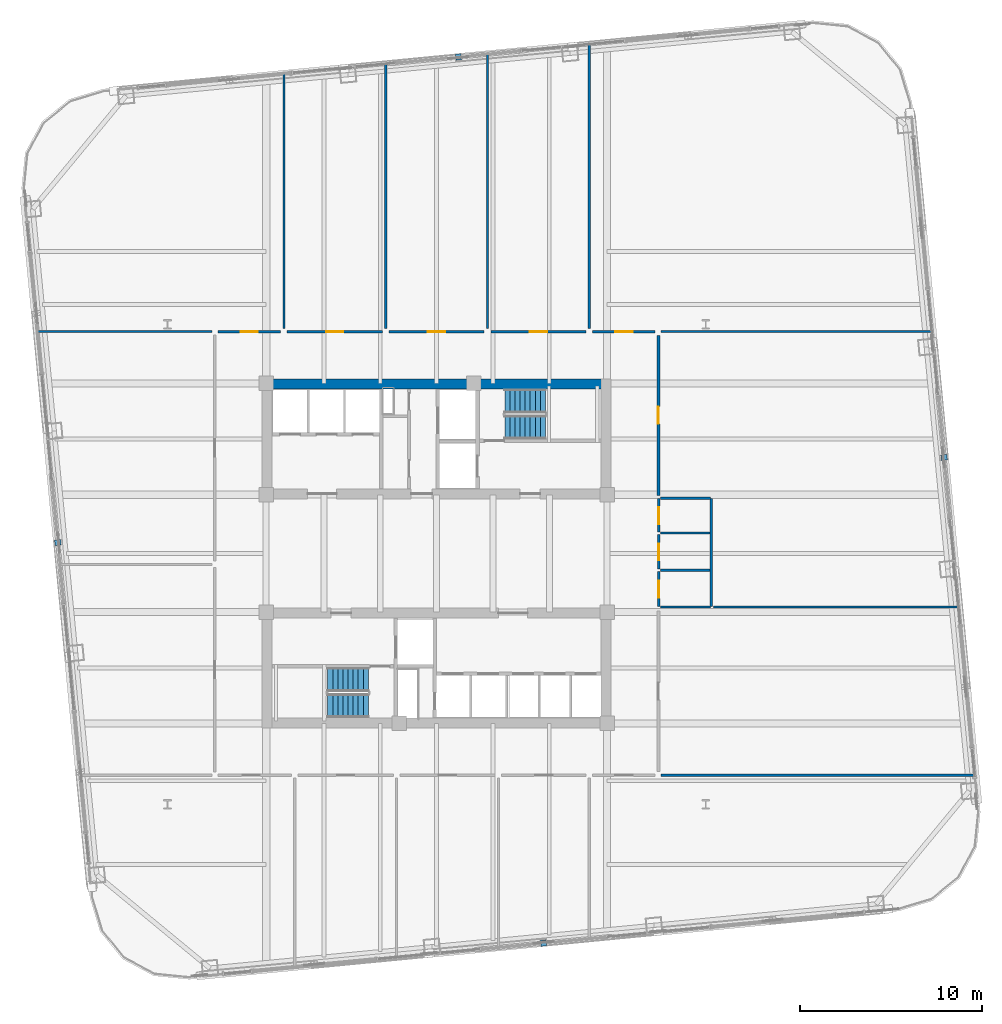
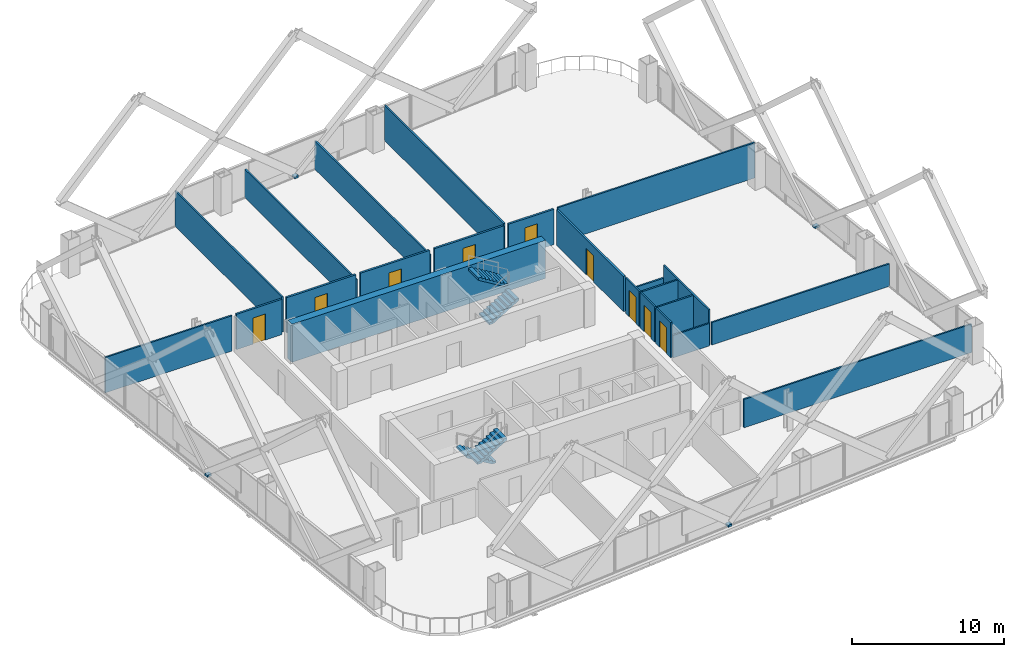
# One storey, part 29 of 32: 23 walls, 9 doors, 4 discrete accessories, 4 stair flights, 9 openings, 2 elements without a shape of their own.
"""IFC4 building model written with IfcOpenShell, lengths in metres."""

from ifc_helpers import new_model, si_unit, direction, frame, frame_2d, origin, origin_2d, place, context, subcontext, project, spatial, polyline, rectangle, outline, extrude, material, layer, layer_set, type_object, element, fill, aggregate, save


model = new_model("IFC4")

# Units and contexts
model_context = context("Model", 3, precision=1e-05, world=origin(), true_north=direction((0.0, 1.0)))
body_context = subcontext(model_context, "Body", "Model", "MODEL_VIEW")
ifc_project = project(units=[si_unit("LENGTHUNIT", "METRE"), si_unit("AREAUNIT", "SQUARE_METRE"), si_unit("VOLUMEUNIT", "CUBIC_METRE"), si_unit("PLANEANGLEUNIT", "RADIAN"), si_unit("MASSUNIT", "GRAM", prefix="KILO")], contexts=[model_context])

# Site, building, storey
site_placement = place(None, origin())
site = spatial("IfcSite", under=ifc_project, at=site_placement, CompositionType="ELEMENT")
building_placement = place(site_placement, origin())
building = spatial("IfcBuilding", under=site, at=building_placement, Name="Qhalaya Broadcast Tower", CompositionType="ELEMENT")
storey_placement = place(building_placement, frame((0.0, 0.0, 81.64990234375)))
storey = spatial("IfcBuildingStorey", under=building, at=storey_placement, Name="L23", CompositionType="ELEMENT", Elevation=81.64990234375)

# Wall, opening, door
ifc_material_1 = material(Name="Gypsum Acoustic Partition")
ifc_layer_1 = layer(ifc_material_1, 0.14990234375, Name="Gypsum Acoustic Partition")
ifc_layer_set_1 = layer_set([ifc_layer_1], Name="Gypsum Acoustic Partition")
wall_type_1 = type_object("IfcWallType", Name="Corridor & Tenancy Acoustic Partition 150", PredefinedType="PARTITIONING", material=ifc_layer_set_1)
wall_1_placement = place(storey_placement, frame((-12.02001953125, 12.800048828125, 0.0), z_axis=(0.0, 0.0, 1.0), x_axis=(1.0, 0.0, 0.0)))
wall_1 = element("IfcWall", 1, at=wall_1_placement, inside=storey, type_object=wall_type_1, Name="L23 Partition Wall W-COR-01", PredefinedType="PARTITIONING", context=body_context, shape_type="SweptSolid", body=[
    extrude(rectangle(XDim=3.43994140625, YDim=0.14990234375, at=frame_2d((1.719970703125, 0.0))), origin(), (0.0, 0.0, 1.0), 2.830078125),
])
opening_1_placement = place(wall_1_placement, frame((1.2451171875, 0.0, 0.0)))
opening_1 = element("IfcOpeningElement", 2, at=opening_1_placement, cuts=wall_1, Name="Opening D10", PredefinedType="OPENING", context=body_context, shape_type="SweptSolid", body=[
    extrude(rectangle(XDim=0.949951171875, YDim=2.10009765625, at=frame_2d((0.47509765625, 1.050048828125))), frame((0.0, 0.0869140625, 0.0), z_axis=(0.0, -1.0, 0.0), x_axis=(1.0, 0.0, 0.0)), (0.0, 0.0, 1.0), 0.173828125),
])
ifc_material_2 = material(Name="Timber Veneer Acoustic Door", Category="wood")
door_type_1 = type_object("IfcDoorType", Name="Cellular Office & Edit Booth Door D10", OperationType="NOTDEFINED", PredefinedType="DOOR", material=ifc_material_2)
door_1_placement = place(opening_1_placement, origin())
door_1 = element("IfcDoor", 3, at=door_1_placement, inside=storey, type_object=door_type_1, Name="L23 Door D-RM01", OperationType="SINGLE_SWING_LEFT", OverallHeight=2.10009765625, OverallWidth=0.949951171875, PredefinedType="DOOR", context=body_context, shape_type="SweptSolid", body=[
    extrude(rectangle(XDim=0.949951171875, YDim=2.10009765625, at=frame_2d((0.47509765625, 1.050048828125))), frame((0.0, 0.02490234375, 0.0), z_axis=(0.0, -1.0, 0.0), x_axis=(1.0, 0.0, 0.0)), (0.0, 0.0, 1.0), 0.050048828125),
])
fill(opening_1, door_1)

wall_2_placement = place(storey_placement, frame((-8.219970703125, 12.800048828125, 0.0), z_axis=(0.0, 0.0, 1.0), x_axis=(1.0, 0.0, 0.0)))
wall_2 = element("IfcWall", 4, at=wall_2_placement, inside=storey, type_object=wall_type_1, Name="L23 Partition Wall W-COR-02", PredefinedType="PARTITIONING", context=body_context, shape_type="SweptSolid", body=[
    extrude(rectangle(XDim=5.239990234375, YDim=0.14990234375, at=frame_2d((2.6201171875, 0.0))), origin(), (0.0, 0.0, 1.0), 2.830078125),
])
opening_2_placement = place(wall_2_placement, frame((2.14501953125, 0.0, 0.0)))
opening_2 = element("IfcOpeningElement", 5, at=opening_2_placement, cuts=wall_2, Name="Opening D10", PredefinedType="OPENING", context=body_context, shape_type="SweptSolid", body=[
    extrude(rectangle(XDim=0.949951171875, YDim=2.10009765625, at=frame_2d((0.47509765625, 1.050048828125))), frame((0.0, 0.0869140625, 0.0), z_axis=(0.0, -1.0, 0.0), x_axis=(1.0, 0.0, 0.0)), (0.0, 0.0, 1.0), 0.173828125),
])
door_2_placement = place(opening_2_placement, origin())
door_2 = element("IfcDoor", 6, at=door_2_placement, inside=storey, type_object=door_type_1, Name="L23 Door D-RM02", OperationType="SINGLE_SWING_RIGHT", OverallHeight=2.10009765625, OverallWidth=0.949951171875, PredefinedType="DOOR", context=body_context, shape_type="SweptSolid", body=[
    extrude(rectangle(XDim=0.949951171875, YDim=2.10009765625, at=frame_2d((0.47509765625, 1.050048828125))), frame((0.0, 0.02490234375, 0.0), z_axis=(0.0, -1.0, 0.0), x_axis=(1.0, 0.0, 0.0)), (0.0, 0.0, 1.0), 0.050048828125),
])
fill(opening_2, door_2)

wall_3_placement = place(storey_placement, frame((-2.6201171875, 12.800048828125, 0.0), z_axis=(0.0, 0.0, 1.0), x_axis=(1.0, 0.0, 0.0)))
wall_3 = element("IfcWall", 7, at=wall_3_placement, inside=storey, type_object=wall_type_1, Name="L23 Partition Wall W-COR-03", PredefinedType="PARTITIONING", context=body_context, shape_type="SweptSolid", body=[
    extrude(rectangle(XDim=5.240234375, YDim=0.14990234375, at=frame_2d((2.6201171875, 0.0))), origin(), (0.0, 0.0, 1.0), 2.830078125),
])
opening_3_placement = place(wall_3_placement, frame((2.14501953125, 0.0, 0.0)))
opening_3 = element("IfcOpeningElement", 8, at=opening_3_placement, cuts=wall_3, Name="Opening D10", PredefinedType="OPENING", context=body_context, shape_type="SweptSolid", body=[
    extrude(rectangle(XDim=0.949951171875, YDim=2.10009765625, at=frame_2d((0.47509765625, 1.050048828125))), frame((0.0, 0.0869140625, 0.0), z_axis=(0.0, -1.0, 0.0), x_axis=(1.0, 0.0, 0.0)), (0.0, 0.0, 1.0), 0.173828125),
])
door_3_placement = place(opening_3_placement, origin())
door_3 = element("IfcDoor", 9, at=door_3_placement, inside=storey, type_object=door_type_1, Name="L23 Door D-RM03", OperationType="SINGLE_SWING_LEFT", OverallHeight=2.10009765625, OverallWidth=0.949951171875, PredefinedType="DOOR", context=body_context, shape_type="SweptSolid", body=[
    extrude(rectangle(XDim=0.949951171875, YDim=2.10009765625, at=frame_2d((0.47509765625, 1.050048828125))), frame((0.0, 0.02490234375, 0.0), z_axis=(0.0, -1.0, 0.0), x_axis=(1.0, 0.0, 0.0)), (0.0, 0.0, 1.0), 0.050048828125),
])
fill(opening_3, door_3)

wall_4_placement = place(storey_placement, frame((2.97998046875, 12.800048828125, 0.0), z_axis=(0.0, 0.0, 1.0), x_axis=(1.0, 0.0, 0.0)))
wall_4 = element("IfcWall", 10, at=wall_4_placement, inside=storey, type_object=wall_type_1, Name="L23 Partition Wall W-COR-04", PredefinedType="PARTITIONING", context=body_context, shape_type="SweptSolid", body=[
    extrude(rectangle(XDim=5.239990234375, YDim=0.14990234375, at=frame_2d((2.6201171875, 0.0))), origin(), (0.0, 0.0, 1.0), 2.830078125),
])
opening_4_placement = place(wall_4_placement, frame((2.14501953125, 0.0, 0.0)))
opening_4 = element("IfcOpeningElement", 11, at=opening_4_placement, cuts=wall_4, Name="Opening D10", PredefinedType="OPENING", context=body_context, shape_type="SweptSolid", body=[
    extrude(rectangle(XDim=0.949951171875, YDim=2.10009765625, at=frame_2d((0.47509765625, 1.050048828125))), frame((0.0, 0.0869140625, 0.0), z_axis=(0.0, -1.0, 0.0), x_axis=(1.0, 0.0, 0.0)), (0.0, 0.0, 1.0), 0.173828125),
])
door_4_placement = place(opening_4_placement, origin())
door_4 = element("IfcDoor", 12, at=door_4_placement, inside=storey, type_object=door_type_1, Name="L23 Door D-RM04", OperationType="SINGLE_SWING_RIGHT", OverallHeight=2.10009765625, OverallWidth=0.949951171875, PredefinedType="DOOR", context=body_context, shape_type="SweptSolid", body=[
    extrude(rectangle(XDim=0.949951171875, YDim=2.10009765625, at=frame_2d((0.47509765625, 1.050048828125))), frame((0.0, 0.02490234375, 0.0), z_axis=(0.0, -1.0, 0.0), x_axis=(1.0, 0.0, 0.0)), (0.0, 0.0, 1.0), 0.050048828125),
])
fill(opening_4, door_4)

wall_5_placement = place(storey_placement, frame((8.580078125, 12.800048828125, 0.0), z_axis=(0.0, 0.0, 1.0), x_axis=(1.0, 0.0, 0.0)))
wall_5 = element("IfcWall", 13, at=wall_5_placement, inside=storey, type_object=wall_type_1, Name="L23 Partition Wall W-COR-05", PredefinedType="PARTITIONING", context=body_context, shape_type="SweptSolid", body=[
    extrude(rectangle(XDim=3.43994140625, YDim=0.14990234375, at=frame_2d((1.719970703125, 0.0))), origin(), (0.0, 0.0, 1.0), 2.830078125),
])
opening_5_placement = place(wall_5_placement, frame((1.2451171875, 0.0, 0.0)))
opening_5 = element("IfcOpeningElement", 14, at=opening_5_placement, cuts=wall_5, Name="Opening D10", PredefinedType="OPENING", context=body_context, shape_type="SweptSolid", body=[
    extrude(rectangle(XDim=0.949951171875, YDim=2.10009765625, at=frame_2d((0.47509765625, 1.050048828125))), frame((0.0, 0.0869140625, 0.0), z_axis=(0.0, -1.0, 0.0), x_axis=(1.0, 0.0, 0.0)), (0.0, 0.0, 1.0), 0.173828125),
])
door_5_placement = place(opening_5_placement, origin())
door_5 = element("IfcDoor", 15, at=door_5_placement, inside=storey, type_object=door_type_1, Name="L23 Door D-RM05", OperationType="SINGLE_SWING_LEFT", OverallHeight=2.10009765625, OverallWidth=0.949951171875, PredefinedType="DOOR", context=body_context, shape_type="SweptSolid", body=[
    extrude(rectangle(XDim=0.949951171875, YDim=2.10009765625, at=frame_2d((0.47509765625, 1.050048828125))), frame((0.0, 0.02490234375, 0.0), z_axis=(0.0, -1.0, 0.0), x_axis=(1.0, 0.0, 0.0)), (0.0, 0.0, 1.0), 0.050048828125),
])
fill(opening_5, door_5)

wall_6_placement = place(storey_placement, frame((12.199951171875, 3.800048828125, 0.0), z_axis=(0.0, 0.0, 1.0), x_axis=(0.0, 1.0, 0.0)))
wall_6 = element("IfcWall", 16, at=wall_6_placement, inside=storey, type_object=wall_type_1, Name="L23 Partition Wall W-COR-14", PredefinedType="PARTITIONING", context=body_context, shape_type="SweptSolid", body=[
    extrude(rectangle(XDim=8.800048828125, YDim=0.14990234375, at=frame_2d((4.39990234375, 0.0))), origin(), (0.0, 0.0, 1.0), 2.830078125),
])
opening_6_placement = place(wall_6_placement, frame((3.925048828125, 0.0, 0.0)))
opening_6 = element("IfcOpeningElement", 17, at=opening_6_placement, cuts=wall_6, Name="Opening D10", PredefinedType="OPENING", context=body_context, shape_type="SweptSolid", body=[
    extrude(rectangle(XDim=0.949951171875, YDim=2.10009765625, at=frame_2d((0.47509765625, 1.050048828125))), frame((0.0, 0.0869140625, 0.0), z_axis=(0.0, -1.0, 0.0), x_axis=(1.0, 0.0, 0.0)), (0.0, 0.0, 1.0), 0.173828125),
])
door_6_placement = place(opening_6_placement, origin())
door_6 = element("IfcDoor", 18, at=door_6_placement, inside=storey, type_object=door_type_1, Name="L23 Door D-RM14", OperationType="SINGLE_SWING_RIGHT", OverallHeight=2.10009765625, OverallWidth=0.949951171875, PredefinedType="DOOR", context=body_context, shape_type="SweptSolid", body=[
    extrude(rectangle(XDim=0.949951171875, YDim=2.10009765625, at=frame_2d((0.47509765625, 1.050048828125))), frame((0.0, 0.02490234375, 0.0), z_axis=(0.0, -1.0, 0.0), x_axis=(1.0, 0.0, 0.0)), (0.0, 0.0, 1.0), 0.050048828125),
])
fill(opening_6, door_6)

# Wall
ifc_material_3 = material(Name="Concrete C60/75", Category="concrete")
ifc_layer_2 = layer(ifc_material_3, 0.550048828125, Name="Concrete C60/75")
ifc_layer_set_2 = layer_set([ifc_layer_2], Name="Concrete C60/75")
wall_type_2 = type_object("IfcWallType", Name="Lower Split-Core Shear Wall 550", PredefinedType="SHEAR", material=ifc_layer_set_2)
wall_7_placement = place(storey_placement, frame((-9.60009765625, 9.925048828125, 0.0), z_axis=(0.0, 0.0, 1.0), x_axis=(1.0, 0.0, 0.0)))
element("IfcWall", 19, at=wall_7_placement, inside=storey, type_object=wall_type_2, Name="L23 Split-Core Shear Wall CW-NN", PredefinedType="SHEAR", context=body_context, shape_type="SweptSolid", body=[
    extrude(rectangle(XDim=19.2001953125, YDim=0.550048828125, at=frame_2d((9.60009765625, 0.0))), origin(), (0.0, 0.0, 1.0), 3.050048828125),
])

# Wall, opening, door
ifc_layer_3 = layer(ifc_material_1, 0.1201171875, Name="Gypsum Acoustic Partition")
ifc_layer_set_3 = layer_set([ifc_layer_3], Name="Gypsum Acoustic Partition")
wall_type_3 = type_object("IfcWallType", Name="Office, Booth & Sanitary Partition 120", PredefinedType="PARTITIONING", material=ifc_layer_set_3)
wall_8_placement = place(storey_placement, frame((12.219970703125, -2.320068359375, 0.0), z_axis=(0.0, 0.0, 1.0), x_axis=(0.0, 1.0, 0.0)))
wall_8 = element("IfcWall", 20, at=wall_8_placement, inside=storey, type_object=wall_type_3, Name="L23 Partition Wall W-WCWA", PredefinedType="PARTITIONING", context=body_context, shape_type="SweptSolid", body=[
    extrude(rectangle(XDim=1.940185546875, YDim=0.1201171875, at=frame_2d((0.97021484375, 0.0))), origin(), (0.0, 0.0, 1.0), 2.830078125),
])
opening_7_placement = place(wall_8_placement, frame((0.4951171875, 0.0, 0.0)))
opening_7 = element("IfcOpeningElement", 21, at=opening_7_placement, cuts=wall_8, Name="Opening D12", PredefinedType="OPENING", context=body_context, shape_type="SweptSolid", body=[
    extrude(rectangle(XDim=0.919921875, YDim=2.10009765625, at=frame_2d((0.4599609375, 1.050048828125))), frame((0.0, 0.072021484375, 0.0), z_axis=(0.0, -1.0, 0.0), x_axis=(1.0, 0.0, 0.0)), (0.0, 0.0, 1.0), 0.14404296875),
])
door_type_2 = type_object("IfcDoorType", Name="Accessible WC & Restroom Door D12", OperationType="NOTDEFINED", PredefinedType="DOOR", material=ifc_material_2)
door_7_placement = place(opening_7_placement, origin())
door_7 = element("IfcDoor", 22, at=door_7_placement, inside=storey, type_object=door_type_2, Name="L23 Door D-WCA", OperationType="SINGLE_SWING_LEFT", OverallHeight=2.10009765625, OverallWidth=0.919921875, PredefinedType="DOOR", context=body_context, shape_type="SweptSolid", body=[
    extrude(rectangle(XDim=0.919921875, YDim=2.10009765625, at=frame_2d((0.4599609375, 1.050048828125))), frame((0.0, 0.02490234375, 0.0), z_axis=(0.0, -1.0, 0.0), x_axis=(1.0, 0.0, 0.0)), (0.0, 0.0, 1.0), 0.050048828125),
])
fill(opening_7, door_7)

wall_9_placement = place(storey_placement, frame((12.219970703125, -0.25, 0.0), z_axis=(0.0, 0.0, 1.0), x_axis=(0.0, 1.0, 0.0)))
wall_9 = element("IfcWall", 23, at=wall_9_placement, inside=storey, type_object=wall_type_3, Name="L23 Partition Wall W-WCWM", PredefinedType="PARTITIONING", context=body_context, shape_type="SweptSolid", body=[
    extrude(rectangle(XDim=1.89990234375, YDim=0.1201171875, at=frame_2d((0.949951171875, 0.0))), origin(), (0.0, 0.0, 1.0), 2.830078125),
])
opening_8_placement = place(wall_9_placement, frame((0.47509765625, 0.0, 0.0)))
opening_8 = element("IfcOpeningElement", 24, at=opening_8_placement, cuts=wall_9, Name="Opening D12", PredefinedType="OPENING", context=body_context, shape_type="SweptSolid", body=[
    extrude(rectangle(XDim=0.919921875, YDim=2.10009765625, at=frame_2d((0.4599609375, 1.050048828125))), frame((0.0, 0.072021484375, 0.0), z_axis=(0.0, -1.0, 0.0), x_axis=(1.0, 0.0, 0.0)), (0.0, 0.0, 1.0), 0.14404296875),
])
door_8_placement = place(opening_8_placement, origin())
door_8 = element("IfcDoor", 25, at=door_8_placement, inside=storey, type_object=door_type_2, Name="L23 Door D-WCM", OperationType="SINGLE_SWING_RIGHT", OverallHeight=2.10009765625, OverallWidth=0.919921875, PredefinedType="DOOR", context=body_context, shape_type="SweptSolid", body=[
    extrude(rectangle(XDim=0.919921875, YDim=2.10009765625, at=frame_2d((0.4599609375, 1.050048828125))), frame((0.0, 0.02490234375, 0.0), z_axis=(0.0, -1.0, 0.0), x_axis=(1.0, 0.0, 0.0)), (0.0, 0.0, 1.0), 0.050048828125),
])
fill(opening_8, door_8)

wall_10_placement = place(storey_placement, frame((12.219970703125, 1.780029296875, 0.0), z_axis=(0.0, 0.0, 1.0), x_axis=(0.0, 1.0, 0.0)))
wall_10 = element("IfcWall", 26, at=wall_10_placement, inside=storey, type_object=wall_type_3, Name="L23 Partition Wall W-WCWF", PredefinedType="PARTITIONING", context=body_context, shape_type="SweptSolid", body=[
    extrude(rectangle(XDim=1.830078125, YDim=0.1201171875, at=frame_2d((0.9150390625, 0.0))), origin(), (0.0, 0.0, 1.0), 2.830078125),
])
opening_9_placement = place(wall_10_placement, frame((0.43994140625, 0.0, 0.0)))
opening_9 = element("IfcOpeningElement", 27, at=opening_9_placement, cuts=wall_10, Name="Opening D12", PredefinedType="OPENING", context=body_context, shape_type="SweptSolid", body=[
    extrude(rectangle(XDim=0.919921875, YDim=2.10009765625, at=frame_2d((0.4599609375, 1.050048828125))), frame((0.0, 0.072021484375, 0.0), z_axis=(0.0, -1.0, 0.0), x_axis=(1.0, 0.0, 0.0)), (0.0, 0.0, 1.0), 0.14404296875),
])
door_9_placement = place(opening_9_placement, origin())
door_9 = element("IfcDoor", 28, at=door_9_placement, inside=storey, type_object=door_type_2, Name="L23 Door D-WCF", OperationType="SINGLE_SWING_LEFT", OverallHeight=2.10009765625, OverallWidth=0.919921875, PredefinedType="DOOR", context=body_context, shape_type="SweptSolid", body=[
    extrude(rectangle(XDim=0.919921875, YDim=2.10009765625, at=frame_2d((0.4599609375, 1.050048828125))), frame((0.0, 0.02490234375, 0.0), z_axis=(0.0, -1.0, 0.0), x_axis=(1.0, 0.0, 0.0)), (0.0, 0.0, 1.0), 0.050048828125),
])
fill(opening_9, door_9)

# Walls
wall_11_placement = place(storey_placement, frame((15.10009765625, -2.320068359375, 0.0), z_axis=(0.0, 0.0, 1.0), x_axis=(0.0, 1.0, 0.0)))
element("IfcWall", 29, at=wall_11_placement, inside=storey, type_object=wall_type_3, Name="L23 Partition Wall W-WCE", PredefinedType="PARTITIONING", context=body_context, shape_type="SweptSolid", body=[
    extrude(rectangle(XDim=5.93017578125, YDim=0.1201171875, at=frame_2d((2.965087890625, 0.0))), origin(), (0.0, 0.0, 1.0), 2.830078125),
])
for number, where, z_axis, x_axis, name in (
    (30, (12.31005859375, -2.35009765625, 0.0), (0.0, 0.0, 1.0), (1.0, 0.0, 0.0), "L23 Partition Wall W-WCS"),
    (31, (12.31005859375, 3.639892578125, 0.0), (0.0, 0.0, 1.0), (1.0, 0.0, 0.0), "L23 Partition Wall W-WCN"),
):
    element("IfcWall", number, at=place(storey_placement, frame(where, z_axis=z_axis, x_axis=x_axis)), inside=storey, type_object=wall_type_3, Name=name, PredefinedType="PARTITIONING", context=body_context, shape_type="SweptSolid", body=[
        extrude(rectangle(XDim=2.760009765625, YDim=0.1201171875, at=frame_2d((1.3798828125, 0.0))), origin(), (0.0, 0.0, 1.0), 1.799072265625),
    ])
for number, where, z_axis, x_axis, name in (
    (32, (12.31005859375, -0.320068359375, 0.0), (0.0, 0.0, 1.0), (1.0, 0.0, 0.0), "L23 Partition Wall W-WCD1"),
    (33, (12.31005859375, 1.719970703125, 0.0), (0.0, 0.0, 1.0), (1.0, 0.0, 0.0), "L23 Partition Wall W-WCD2"),
):
    element("IfcWall", number, at=place(storey_placement, frame(where, z_axis=z_axis, x_axis=x_axis)), inside=storey, type_object=wall_type_3, Name=name, PredefinedType="PARTITIONING", context=body_context, shape_type="SweptSolid", body=[
        extrude(rectangle(XDim=2.719970703125, YDim=0.1201171875, at=frame_2d((1.35986328125, 0.0))), origin(), (0.0, 0.0, 1.0), 2.830078125),
    ])
wall_12_placement = place(storey_placement, frame((-21.94482421875, 12.800048828125, 0.0), z_axis=(0.0, 0.0, 1.0), x_axis=(1.0, 0.0, 0.0)))
element("IfcWall", 34, at=wall_12_placement, inside=storey, type_object=wall_type_3, Name="L23 Partition Wall W-BNDW1", PredefinedType="PARTITIONING", context=body_context, shape_type="SweptSolid", body=[
    extrude(rectangle(XDim=9.604736328125, YDim=0.1201171875, at=frame_2d((4.80224609375, 0.0))), origin(), (0.0, 0.0, 1.0), 2.830078125),
])
wall_13_placement = place(storey_placement, frame((12.340087890625, 12.800048828125, 0.0), z_axis=(0.0, 0.0, 1.0), x_axis=(1.0, 0.0, 0.0)))
element("IfcWall", 35, at=wall_13_placement, inside=storey, type_object=wall_type_3, Name="L23 Partition Wall W-BNDE1", PredefinedType="PARTITIONING", context=body_context, shape_type="SweptSolid", body=[
    extrude(rectangle(XDim=14.901611328125, YDim=0.1201171875, at=frame_2d((7.45068359375, 0.0))), origin(), (0.0, 0.0, 1.0), 2.830078125),
])
wall_14_placement = place(storey_placement, frame((12.340087890625, -11.60009765625, 0.0), z_axis=(0.0, 0.0, 1.0), x_axis=(1.0, 0.0, 0.0)))
element("IfcWall", 36, at=wall_14_placement, inside=storey, type_object=wall_type_3, Name="L23 Partition Wall W-BNDE2", PredefinedType="PARTITIONING", context=body_context, shape_type="SweptSolid", body=[
    extrude(rectangle(XDim=17.2509765625, YDim=0.1201171875, at=frame_2d((8.62548828125, 0.0))), origin(), (0.0, 0.0, 1.0), 2.274169921875),
])
wall_15_placement = place(storey_placement, frame((-8.39990234375, 12.9599609375, 0.0), z_axis=(0.0, 0.0, 1.0), x_axis=(0.0, 1.0, 0.0)))
element("IfcWall", 37, at=wall_15_placement, inside=storey, type_object=wall_type_3, Name="L23 Partition Wall W-DIVN1", PredefinedType="PARTITIONING", context=body_context, shape_type="SweptSolid", body=[
    extrude(rectangle(XDim=14.0234375, YDim=0.1201171875, at=frame_2d((7.01171875, 0.0))), origin(), (0.0, 0.0, 1.0), 2.830078125),
])
wall_16_placement = place(storey_placement, frame((-2.800048828125, 12.9599609375, 0.0), z_axis=(0.0, 0.0, 1.0), x_axis=(0.0, 1.0, 0.0)))
element("IfcWall", 38, at=wall_16_placement, inside=storey, type_object=wall_type_3, Name="L23 Partition Wall W-DIVN2", PredefinedType="PARTITIONING", context=body_context, shape_type="SweptSolid", body=[
    extrude(rectangle(XDim=14.562744140625, YDim=0.1201171875, at=frame_2d((7.28125, 0.0))), origin(), (0.0, 0.0, 1.0), 2.274169921875),
])
wall_17_placement = place(storey_placement, frame((2.800048828125, 12.9599609375, 0.0), z_axis=(0.0, 0.0, 1.0), x_axis=(0.0, 1.0, 0.0)))
element("IfcWall", 39, at=wall_17_placement, inside=storey, type_object=wall_type_3, Name="L23 Partition Wall W-DIVN3", PredefinedType="PARTITIONING", context=body_context, shape_type="SweptSolid", body=[
    extrude(rectangle(XDim=15.10205078125, YDim=0.1201171875, at=frame_2d((7.551025390625, 0.0))), origin(), (0.0, 0.0, 1.0), 2.274169921875),
])
wall_18_placement = place(storey_placement, frame((8.39990234375, 12.9599609375, 0.0), z_axis=(0.0, 0.0, 1.0), x_axis=(0.0, 1.0, 0.0)))
element("IfcWall", 40, at=wall_18_placement, inside=storey, type_object=wall_type_3, Name="L23 Partition Wall W-DIVN4", PredefinedType="PARTITIONING", context=body_context, shape_type="SweptSolid", body=[
    extrude(rectangle(XDim=15.641357421875, YDim=0.1201171875, at=frame_2d((7.82080078125, 0.0))), origin(), (0.0, 0.0, 1.0), 2.830078125),
])
wall_19_placement = place(storey_placement, frame((15.239990234375, -2.35009765625, 0.0), z_axis=(0.0, 0.0, 1.0), x_axis=(1.0, 0.0, 0.0)))
element("IfcWall", 41, at=wall_19_placement, inside=storey, type_object=wall_type_3, Name="L23 Partition Wall W-DIVE-WC", PredefinedType="PARTITIONING", context=body_context, shape_type="SweptSolid", body=[
    extrude(rectangle(XDim=13.46044921875, YDim=0.1201171875, at=frame_2d((6.730224609375, 0.0))), origin(), (0.0, 0.0, 1.0), 1.799072265625),
])

# Stair, stair flights
ifc_material_4 = material(Name="Concrete C40/50", Category="concrete")
stair_type = type_object("IfcStairType", Name="Protected Dogleg Core Stair 3150", PredefinedType="TWO_STRAIGHT_RUN_STAIR", material=ifc_material_4)
stair_1_placement = place(storey_placement, origin())
stair_1 = element("IfcStair", 42, at=stair_1_placement, inside=storey, type_object=stair_type, Name="L23 North Core Exit Stair ST-1", PredefinedType="TWO_STRAIGHT_RUN_STAIR")
ifc_material_5 = material(Name="Precast Concrete C40/50", Category="concrete")
stair_flight_type = type_object("IfcStairFlightType", Name="Precast Concrete Stair Flight 3150", PredefinedType="STRAIGHT", material=ifc_material_5)
stair_flight_1_placement = place(storey_placement, frame((3.75, 7.5400390625, 0.0), z_axis=(0.0, 0.0, 1.0), x_axis=(1.0, 0.0, 0.0)))
stair_flight_1 = element("IfcStairFlight", 43, at=stair_flight_1_placement, type_object=stair_flight_type, Name="ST-1 flight 1", NumberOfRisers=9, NumberOfTreads=8, PredefinedType="STRAIGHT", RiserHeight=0.169444444, TreadLength=0.28, context=body_context, shape_type="SweptSolid", body=[
    extrude(outline(polyline([(0.0, 0.0), (0.0, 0.16943359375), (0.280029296875, 0.16943359375), (0.280029296875, 0.3388671875), (0.56005859375, 0.3388671875), (0.56005859375, 0.50830078125), (0.840087890625, 0.50830078125), (0.840087890625, 0.677734375), (1.1201171875, 0.677734375), (1.1201171875, 0.84716796875), (1.39990234375, 0.84716796875), (1.39990234375, 1.0166015625), (1.679931640625, 1.0166015625), (1.679931640625, 1.18603515625), (1.9599609375, 1.18603515625), (1.9599609375, 1.35546875), (2.239990234375, 1.35546875), (2.239990234375, 1.52490234375), (2.239990234375, 1.180419921875), (0.28955078125, 0.0), (0.0, 0.0)])), frame((0.0, 0.66015625, 0.0), z_axis=(0.0, -1.0, 0.0), x_axis=(1.0, 0.0, 0.0)), (0.0, 0.0, 1.0), 1.320068359375),
])
stair_flight_2_placement = place(storey_placement, frame((5.989990234375, 8.97998046875, 1.525146484375), z_axis=(0.0, 0.0, 1.0), x_axis=(-1.0, 0.0, 0.0)))
stair_flight_2 = element("IfcStairFlight", 44, at=stair_flight_2_placement, type_object=stair_flight_type, Name="ST-1 flight 2", NumberOfRisers=9, NumberOfTreads=8, PredefinedType="STRAIGHT", RiserHeight=0.169444444, TreadLength=0.28, context=body_context, shape_type="SweptSolid", body=[
    extrude(outline(polyline([(0.0, 0.0), (0.0, 0.16943359375), (0.280029296875, 0.16943359375), (0.280029296875, 0.3388671875), (0.56005859375, 0.3388671875), (0.56005859375, 0.50830078125), (0.840087890625, 0.50830078125), (0.840087890625, 0.677734375), (1.1201171875, 0.677734375), (1.1201171875, 0.84716796875), (1.39990234375, 0.84716796875), (1.39990234375, 1.0166015625), (1.679931640625, 1.0166015625), (1.679931640625, 1.18603515625), (1.9599609375, 1.18603515625), (1.9599609375, 1.35546875), (2.239990234375, 1.35546875), (2.239990234375, 1.52490234375), (2.239990234375, 1.180419921875), (0.28955078125, 0.0), (0.0, 0.0)])), frame((0.0, 0.66015625, 0.0), z_axis=(0.0, -1.0, 0.0), x_axis=(1.0, 0.0, 0.0)), (0.0, 0.0, 1.0), 1.320068359375),
])
aggregate(stair_1, [stair_flight_1, stair_flight_2])

stair_2_placement = place(storey_placement, origin())
stair_2 = element("IfcStair", 45, at=stair_2_placement, inside=storey, type_object=stair_type, Name="L23 South Core Exit Stair ST-2", PredefinedType="TWO_STRAIGHT_RUN_STAIR")
stair_flight_3_placement = place(storey_placement, frame((-3.75, -6.340087890625, 0.0), z_axis=(0.0, 0.0, 1.0), x_axis=(-1.0, 0.0, 0.0)))
stair_flight_3 = element("IfcStairFlight", 46, at=stair_flight_3_placement, type_object=stair_flight_type, Name="ST-2 flight 1", NumberOfRisers=9, NumberOfTreads=8, PredefinedType="STRAIGHT", RiserHeight=0.169444444, TreadLength=0.28, context=body_context, shape_type="SweptSolid", body=[
    extrude(outline(polyline([(0.0, 0.0), (0.0, 0.16943359375), (0.280029296875, 0.16943359375), (0.280029296875, 0.3388671875), (0.56005859375, 0.3388671875), (0.56005859375, 0.50830078125), (0.840087890625, 0.50830078125), (0.840087890625, 0.677734375), (1.1201171875, 0.677734375), (1.1201171875, 0.84716796875), (1.39990234375, 0.84716796875), (1.39990234375, 1.0166015625), (1.679931640625, 1.0166015625), (1.679931640625, 1.18603515625), (1.9599609375, 1.18603515625), (1.9599609375, 1.35546875), (2.239990234375, 1.35546875), (2.239990234375, 1.52490234375), (2.239990234375, 1.180419921875), (0.28955078125, 0.0), (0.0, 0.0)])), frame((0.0, 0.66015625, 0.0), z_axis=(0.0, -1.0, 0.0), x_axis=(1.0, 0.0, 0.0)), (0.0, 0.0, 1.0), 1.320068359375),
])
stair_flight_4_placement = place(storey_placement, frame((-5.989990234375, -7.780029296875, 1.525146484375), z_axis=(0.0, 0.0, 1.0), x_axis=(1.0, 0.0, 0.0)))
stair_flight_4 = element("IfcStairFlight", 47, at=stair_flight_4_placement, type_object=stair_flight_type, Name="ST-2 flight 2", NumberOfRisers=9, NumberOfTreads=8, PredefinedType="STRAIGHT", RiserHeight=0.169444444, TreadLength=0.28, context=body_context, shape_type="SweptSolid", body=[
    extrude(outline(polyline([(0.0, 0.0), (0.0, 0.16943359375), (0.280029296875, 0.16943359375), (0.280029296875, 0.3388671875), (0.56005859375, 0.3388671875), (0.56005859375, 0.50830078125), (0.840087890625, 0.50830078125), (0.840087890625, 0.677734375), (1.1201171875, 0.677734375), (1.1201171875, 0.84716796875), (1.39990234375, 0.84716796875), (1.39990234375, 1.0166015625), (1.679931640625, 1.0166015625), (1.679931640625, 1.18603515625), (1.9599609375, 1.18603515625), (1.9599609375, 1.35546875), (2.239990234375, 1.35546875), (2.239990234375, 1.52490234375), (2.239990234375, 1.180419921875), (0.28955078125, 0.0), (0.0, 0.0)])), frame((0.0, 0.66015625, 0.0), z_axis=(0.0, -1.0, 0.0), x_axis=(1.0, 0.0, 0.0)), (0.0, 0.0, 1.0), 1.320068359375),
])
aggregate(stair_2, [stair_flight_3, stair_flight_4])

# Discrete accessories
ifc_material_6 = material(Name="Structural Steel ASTM A572 Grade 50", Category="steel")
discrete_accessory_type = type_object("IfcDiscreteAccessoryType", Name="Facade Baguette Support Bracket BRK-01", PredefinedType="BRACKET", material=ifc_material_6)
for number, where, z_axis, x_axis, name in (
    (48, (5.88623046875, -20.827392578125, 0.0), (0.0, 0.0, 1.0), (0.995396198367, 0.09584575252, 0.0), "L23 Baguette Support Bracket S"),
    (49, (27.9072265625, 5.88623046875, 0.0), (0.0, 0.0, 1.0), (-0.09584575252, 0.995396198367, 0.0), "L23 Baguette Support Bracket E"),
    (50, (1.193603515625, 27.9072265625, 0.0), (0.0, 0.0, 1.0), (-0.995396198367, -0.09584575252, 0.0), "L23 Baguette Support Bracket N"),
    (51, (-20.827392578125, 1.193603515625, 0.0), (0.0, 0.0, 1.0), (0.09584575252, -0.995396198367, 0.0), "L23 Baguette Support Bracket W"),
):
    element("IfcDiscreteAccessory", number, at=place(storey_placement, frame(where, z_axis=z_axis, x_axis=x_axis)), inside=storey, type_object=discrete_accessory_type, Name=name, PredefinedType="BRACKET", context=body_context, shape_type="SweptSolid", body=[
        extrude(rectangle(XDim=0.300048828125, YDim=0.340087890625, at=origin_2d()), origin(), (0.0, 0.0, 1.0), 0.159912109375),
    ])

save(model, "model.ifc")
